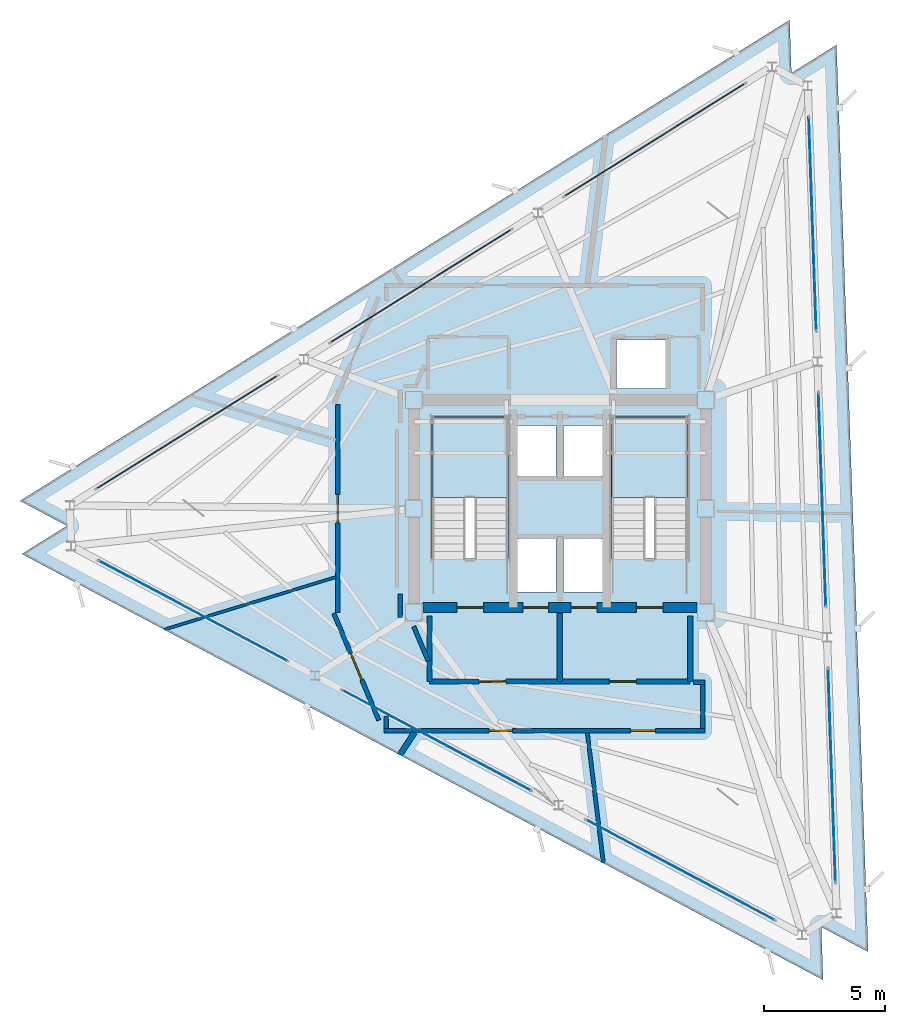
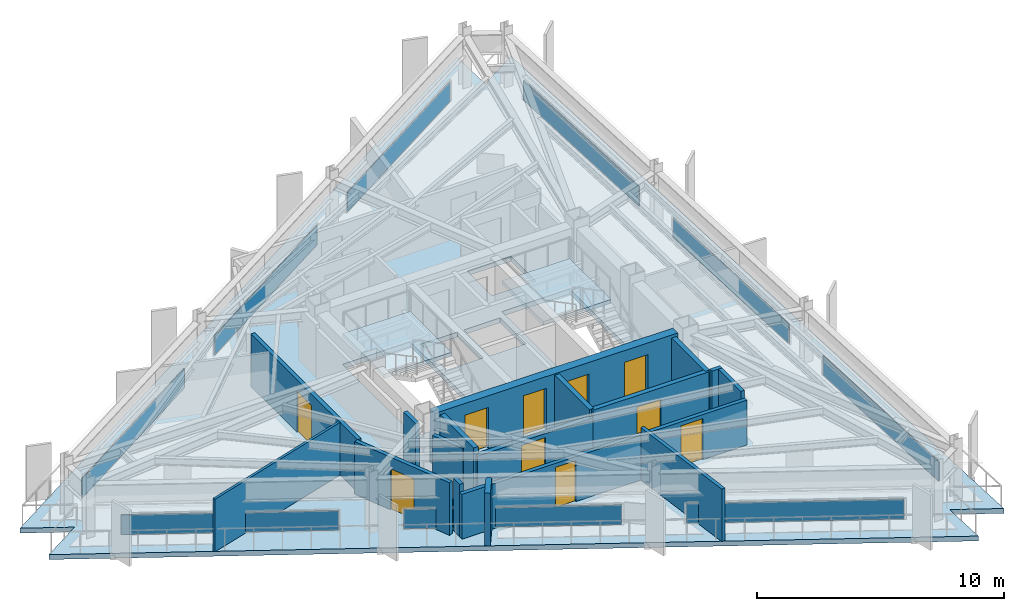
# One storey, part 8 of 13: 17 walls, 10 doors, 9 plates, 3 slabs, 10 openings, 11 elements without a shape of their own.
"""IFC4 building model written with IfcOpenShell, lengths in metres."""

from ifc_helpers import new_model, si_unit, direction, frame, frame_2d, origin, origin_2d, place, context, subcontext, project, spatial, polyline, rectangle, outline, extrude, material, layer, layer_set, type_object, element, fill, aggregate, save


model = new_model("IFC4")

# Units and contexts
model_context = context("Model", 3, precision=1e-05, world=origin(), true_north=direction((0.0, 1.0)))
body_context = subcontext(model_context, "Body", "Model", "MODEL_VIEW")
ifc_project = project(units=[si_unit("LENGTHUNIT", "METRE"), si_unit("AREAUNIT", "SQUARE_METRE"), si_unit("VOLUMEUNIT", "CUBIC_METRE"), si_unit("PLANEANGLEUNIT", "RADIAN"), si_unit("MASSUNIT", "GRAM", prefix="KILO")], contexts=[model_context])

# Site, building, storey
site_placement = place(None, origin())
site = spatial("IfcSite", under=ifc_project, at=site_placement, CompositionType="ELEMENT")
building_placement = place(site_placement, origin())
building = spatial("IfcBuilding", under=site, at=building_placement, Name="Rocaltana Carrier Exchange", CompositionType="ELEMENT")
storey_placement = place(building_placement, frame((0.0, 0.0, 211.840087890625)))
storey = spatial("IfcBuildingStorey", under=building, at=storey_placement, Name="L67", CompositionType="ELEMENT", Elevation=211.840087890625)

# Curtain wall, plate
ifc_material_1 = material(Name="Aluminium 6063-T6", Category="aluminium")
ifc_layer_1 = layer(ifc_material_1, 0.1201171875)
ifc_layer_set_1 = layer_set([ifc_layer_1], Name="Aluminium 6063-T6")
curtain_wall_type = type_object("IfcCurtainWallType", Name="High-Altitude Thermal Curtain Wall CW-05", PredefinedType="NOTDEFINED", material=ifc_layer_set_1)
curtain_wall_1_placement = place(storey_placement, origin())
curtain_wall_1 = element("IfcCurtainWall", 1, at=curtain_wall_1_placement, inside=storey, type_object=curtain_wall_type, Name="L67 CW-05 Run CW-L67-F1S1", PredefinedType="NOTDEFINED")
ifc_material_2 = material(Name="Tempered Laminated Glass", Category="glass")
ifc_layer_2 = layer(ifc_material_2, 0.035888671875)
ifc_layer_set_2 = layer_set([ifc_layer_2], Name="Tempered Laminated Glass")
plate_type = type_object("IfcPlateType", Name="CW-05 Stone-Insulated Vision Panel", PredefinedType="CURTAIN_PANEL", material=ifc_layer_set_2)
plate_1_placement = place(storey_placement, frame((11.266845703125, -11.046875, 0.059814453125), z_axis=(0.0, 0.0, 1.0), x_axis=(-0.034914127567, 0.999390315991, 0.0)))
plate_1 = element("IfcPlate", 2, at=plate_1_placement, type_object=plate_type, Name="CW-05 panel 1.1", PredefinedType="CURTAIN_PANEL", context=body_context, shape_type="SweptSolid", body=[
    extrude(rectangle(XDim=8.813232421875, YDim=0.035888671875, at=origin_2d()), origin(), (0.0, 0.0, 1.0), 0.9580078125),
])
aggregate(curtain_wall_1, [plate_1])

curtain_wall_2_placement = place(storey_placement, origin())
curtain_wall_2 = element("IfcCurtainWall", 3, at=curtain_wall_2_placement, inside=storey, type_object=curtain_wall_type, Name="L67 CW-05 Run CW-L67-F1S2", PredefinedType="NOTDEFINED")
plate_2_placement = place(storey_placement, frame((10.86767578125, 0.37939453125, 0.059814453125), z_axis=(0.0, 0.0, 1.0), x_axis=(-0.034902556738, 0.999390720156, 0.0)))
plate_2 = element("IfcPlate", 4, at=plate_2_placement, type_object=plate_type, Name="CW-05 panel 1.1", PredefinedType="CURTAIN_PANEL", context=body_context, shape_type="SweptSolid", body=[
    extrude(rectangle(XDim=8.8134765625, YDim=0.035888671875, at=origin_2d()), origin(), (0.0, 0.0, 1.0), 0.9580078125),
])
aggregate(curtain_wall_2, [plate_2])

curtain_wall_3_placement = place(storey_placement, origin())
curtain_wall_3 = element("IfcCurtainWall", 5, at=curtain_wall_3_placement, inside=storey, type_object=curtain_wall_type, Name="L67 CW-05 Run CW-L67-F1S3", PredefinedType="NOTDEFINED")
plate_3_placement = place(storey_placement, frame((10.46875, 11.805908203125, 0.059814453125), z_axis=(0.0, 0.0, 1.0), x_axis=(-0.034902556738, 0.999390720156, 0.0)))
plate_3 = element("IfcPlate", 6, at=plate_3_placement, type_object=plate_type, Name="CW-05 panel 1.1", PredefinedType="CURTAIN_PANEL", context=body_context, shape_type="SweptSolid", body=[
    extrude(rectangle(XDim=8.8134765625, YDim=0.035888671875, at=origin_2d()), origin(), (0.0, 0.0, 1.0), 0.9580078125),
])
aggregate(curtain_wall_3, [plate_3])

curtain_wall_4_placement = place(storey_placement, origin())
curtain_wall_4 = element("IfcCurtainWall", 7, at=curtain_wall_4_placement, inside=storey, type_object=curtain_wall_type, Name="L67 CW-05 Run CW-L67-F2S1", PredefinedType="NOTDEFINED")
plate_4_placement = place(storey_placement, frame((3.93359375, 15.28076171875, 0.059814453125), z_axis=(0.0, 0.0, 1.0), x_axis=(-0.848042322807, -0.529928503412, 0.0)))
plate_4 = element("IfcPlate", 8, at=plate_4_placement, type_object=plate_type, Name="CW-05 panel 1.1", PredefinedType="CURTAIN_PANEL", context=body_context, shape_type="SweptSolid", body=[
    extrude(rectangle(XDim=8.813232421875, YDim=0.035888671875, at=origin_2d()), origin(), (0.0, 0.0, 1.0), 0.9580078125),
])
aggregate(curtain_wall_4, [plate_4])

curtain_wall_5_placement = place(storey_placement, origin())
curtain_wall_5 = element("IfcCurtainWall", 9, at=curtain_wall_5_placement, inside=storey, type_object=curtain_wall_type, Name="L67 CW-05 Run CW-L67-F2S2", PredefinedType="NOTDEFINED")
plate_5_placement = place(storey_placement, frame((-5.762451171875, 9.221923828125, 0.059814453125), z_axis=(0.0, 0.0, 1.0), x_axis=(-0.848047353446, -0.529920452816, 0.0)))
plate_5 = element("IfcPlate", 10, at=plate_5_placement, type_object=plate_type, Name="CW-05 panel 1.1", PredefinedType="CURTAIN_PANEL", context=body_context, shape_type="SweptSolid", body=[
    extrude(rectangle(XDim=8.813232421875, YDim=0.035888671875, at=origin_2d()), origin(), (0.0, 0.0, 1.0), 0.9580078125),
])
aggregate(curtain_wall_5, [plate_5])

curtain_wall_6_placement = place(storey_placement, origin())
curtain_wall_6 = element("IfcCurtainWall", 11, at=curtain_wall_6_placement, inside=storey, type_object=curtain_wall_type, Name="L67 CW-05 Run CW-L67-F2S3", PredefinedType="NOTDEFINED")
plate_6_placement = place(storey_placement, frame((-15.45849609375, 3.163330078125, 0.059814453125), z_axis=(0.0, 0.0, 1.0), x_axis=(-0.848050496896, -0.529915422228, 0.0)))
plate_6 = element("IfcPlate", 12, at=plate_6_placement, type_object=plate_type, Name="CW-05 panel 1.1", PredefinedType="CURTAIN_PANEL", context=body_context, shape_type="SweptSolid", body=[
    extrude(rectangle(XDim=8.813232421875, YDim=0.035888671875, at=origin_2d()), origin(), (0.0, 0.0, 1.0), 0.9580078125),
])
aggregate(curtain_wall_6, [plate_6])

curtain_wall_7_placement = place(storey_placement, origin())
curtain_wall_7 = element("IfcCurtainWall", 13, at=curtain_wall_7_placement, inside=storey, type_object=curtain_wall_type, Name="L67 CW-05 Run CW-L67-F3S1", PredefinedType="NOTDEFINED")
plate_7_placement = place(storey_placement, frame((-15.2001953125, -4.23388671875, 0.059814453125), z_axis=(0.0, 0.0, 1.0), x_axis=(0.882941304732, -0.469483388841, 0.0)))
plate_7 = element("IfcPlate", 14, at=plate_7_placement, type_object=plate_type, Name="CW-05 panel 1.1", PredefinedType="CURTAIN_PANEL", context=body_context, shape_type="SweptSolid", body=[
    extrude(rectangle(XDim=8.8134765625, YDim=0.035888671875, at=origin_2d()), origin(), (0.0, 0.0, 1.0), 0.9580078125),
])
aggregate(curtain_wall_7, [plate_7])

curtain_wall_8_placement = place(storey_placement, origin())
curtain_wall_8 = element("IfcCurtainWall", 15, at=curtain_wall_8_placement, inside=storey, type_object=curtain_wall_type, Name="L67 CW-05 Run CW-L67-F3S2", PredefinedType="NOTDEFINED")
plate_8_placement = place(storey_placement, frame((-5.105224609375, -9.6015625, 0.059814453125), z_axis=(0.0, 0.0, 1.0), x_axis=(0.882943477624, -0.469479302335, 0.0)))
plate_8 = element("IfcPlate", 16, at=plate_8_placement, type_object=plate_type, Name="CW-05 panel 1.1", PredefinedType="CURTAIN_PANEL", context=body_context, shape_type="SweptSolid", body=[
    extrude(rectangle(XDim=8.813232421875, YDim=0.035888671875, at=origin_2d()), origin(), (0.0, 0.0, 1.0), 0.9580078125),
])
aggregate(curtain_wall_8, [plate_8])

curtain_wall_9_placement = place(storey_placement, origin())
curtain_wall_9 = element("IfcCurtainWall", 17, at=curtain_wall_9_placement, inside=storey, type_object=curtain_wall_type, Name="L67 CW-05 Run CW-L67-F3S3", PredefinedType="NOTDEFINED")
plate_9_placement = place(storey_placement, frame((4.98974609375, -14.968994140625, 0.059814453125), z_axis=(0.0, 0.0, 1.0), x_axis=(0.882945944879, -0.469474662173, 0.0)))
plate_9 = element("IfcPlate", 18, at=plate_9_placement, type_object=plate_type, Name="CW-05 panel 1.1", PredefinedType="CURTAIN_PANEL", context=body_context, shape_type="SweptSolid", body=[
    extrude(rectangle(XDim=8.8134765625, YDim=0.035888671875, at=origin_2d()), origin(), (0.0, 0.0, 1.0), 0.9580078125),
])
aggregate(curtain_wall_9, [plate_9])

# Slab
ifc_material_3 = material(Name="Concrete C50/60", Category="concrete")
ifc_layer_3 = layer(ifc_material_3, 0.239990234375)
ifc_layer_set_3 = layer_set([ifc_layer_3], Name="Concrete C50/60")
slab_type_1 = type_object("IfcSlabType", Name="High-Zone Tower Slab 240", PredefinedType="FLOOR", material=ifc_layer_set_3)
slab_1_placement = place(storey_placement, frame((0.0, 0.0, -0.239990234375)))
element("IfcSlab", 19, at=slab_1_placement, inside=storey, type_object=slab_type_1, Name="L67 Structural Floor Slab", PredefinedType="FLOOR", context=body_context, shape_type="SweptSolid", body=[
    extrude(outline(polyline([(10.907470703125, -19.53125), (10.83056640625, -17.33251953125), (12.773193359375, -18.365478515625), (11.4609375, 19.211669921875), (9.59521484375, 18.0458984375), (9.518310546875, 20.244384765625), (-22.3681640625, 0.319580078125), (-20.42578125, -0.71337890625), (-22.29150390625, -1.879150390625), (10.907470703125, -19.53125)]), holes=[polyline([(-5.300048828125, -2.06005859375), (-2.139892578125, -2.06005859375), (-2.139892578125, 3.800048828125), (-5.300048828125, 3.800048828125), (-5.300048828125, -2.06005859375)]), polyline([(2.139892578125, -2.06005859375), (5.300048828125, -2.06005859375), (5.300048828125, 3.800048828125), (2.139892578125, 3.800048828125), (2.139892578125, -2.06005859375)]), polyline([(-1.85009765625, -3.449951171875), (-0.14990234375, -3.449951171875), (-0.14990234375, -1.25), (-1.85009765625, -1.25), (-1.85009765625, -3.449951171875)]), polyline([(0.14990234375, -3.449951171875), (1.85009765625, -3.449951171875), (1.85009765625, -1.25), (0.14990234375, -1.25), (0.14990234375, -3.449951171875)]), polyline([(2.35009765625, 4.97998046875), (4.39990234375, 4.97998046875), (4.39990234375, 6.97998046875), (2.35009765625, 6.97998046875), (2.35009765625, 4.97998046875)]), polyline([(-1.85009765625, 1.35009765625), (-0.14990234375, 1.35009765625), (-0.14990234375, 3.449951171875), (-1.85009765625, 3.449951171875), (-1.85009765625, 1.35009765625)]), polyline([(0.14990234375, 1.35009765625), (1.85009765625, 1.35009765625), (1.85009765625, 3.449951171875), (0.14990234375, 3.449951171875), (0.14990234375, 1.35009765625)])]), origin(), (0.0, 0.0, 1.0), 0.239990234375),
])

# Stair, slab
ifc_material_4 = material(Name="Precast concrete C45/55", Category="concrete")
stair_type = type_object("IfcStairType", Name="Standard Dog-Leg Stair 160", PredefinedType="HALF_TURN_STAIR", material=ifc_material_4)
stair_1_placement = place(storey_placement, origin())
stair_1 = element("IfcStair", 20, at=stair_1_placement, inside=storey, type_object=stair_type, Name="L67 Core West Exit Stair ST-1", PredefinedType="HALF_TURN_STAIR")
ifc_material_5 = material(Name="Precast concrete C45/55", Category="concrete")
ifc_layer_4 = layer(ifc_material_5, 0.199951171875)
ifc_layer_set_4 = layer_set([ifc_layer_4], Name="Precast concrete C45/55")
slab_type_2 = type_object("IfcSlabType", Name="Precast Stair Half-Landing 200", PredefinedType="LANDING", material=ifc_layer_set_4)
slab_2_placement = place(storey_placement, frame((0.0, 0.0, 1.31982421875)))
slab_2 = element("IfcSlab", 21, at=slab_2_placement, type_object=slab_type_2, Name="ST-1 landing 1", PredefinedType="LANDING", context=body_context, shape_type="SweptSolid", body=[
    extrude(outline(polyline([(-2.139892578125, 0.4599609375), (-2.139892578125, 3.800048828125), (-5.300048828125, 3.800048828125), (-5.300048828125, 0.4599609375), (-2.139892578125, 0.4599609375)])), origin(), (0.0, 0.0, 1.0), 0.2001953125),
])
aggregate(stair_1, [slab_2])

stair_2_placement = place(storey_placement, origin())
stair_2 = element("IfcStair", 22, at=stair_2_placement, inside=storey, type_object=stair_type, Name="L67 Core East Exit Stair ST-2", PredefinedType="HALF_TURN_STAIR")
slab_3_placement = place(storey_placement, frame((0.0, 0.0, 1.31982421875)))
slab_3 = element("IfcSlab", 23, at=slab_3_placement, type_object=slab_type_2, Name="ST-2 landing 1", PredefinedType="LANDING", context=body_context, shape_type="SweptSolid", body=[
    extrude(outline(polyline([(5.300048828125, 0.4599609375), (5.300048828125, 3.800048828125), (2.139892578125, 3.800048828125), (2.139892578125, 0.4599609375), (5.300048828125, 0.4599609375)])), origin(), (0.0, 0.0, 1.0), 0.2001953125),
])
aggregate(stair_2, [slab_3])

# Wall
ifc_material_6 = material(Name="Double Acoustic Gypsum Partition", Category="gypsum")
ifc_layer_5 = layer(ifc_material_6, 0.159912109375)
ifc_layer_set_5 = layer_set([ifc_layer_5], Name="Double Acoustic Gypsum Partition")
wall_type_1 = type_object("IfcWallType", Name="Acoustic Studio Partition 160 EI60", PredefinedType="PARTITIONING", material=ifc_layer_set_5)
wall_1_placement = place(storey_placement, frame((1.139404296875, -9.280029296875, 0.0), z_axis=(0.0, 0.0, 1.0), x_axis=(0.121863374105, -0.992546884561, 0.0)))
element("IfcWall", 24, at=wall_1_placement, inside=storey, type_object=wall_type_1, Name="L67 Suite Divider Wall D3", PredefinedType="PARTITIONING", context=body_context, shape_type="SweptSolid", body=[
    extrude(rectangle(XDim=5.439208984375, YDim=0.159912109375, at=frame_2d((2.7197265625, 0.0))), origin(), (0.0, 0.0, 1.0), 2.593017578125),
])

# Wall, openings, doors
ifc_material_7 = material(Name="Concrete C50/60", Category="concrete")
ifc_layer_6 = layer(ifc_material_7, 0.39990234375)
ifc_layer_set_6 = layer_set([ifc_layer_6], Name="Concrete C50/60")
wall_type_2 = type_object("IfcWallType", Name="Core Internal Shear Wall 400", PredefinedType="SHEAR", material=ifc_layer_set_6)
wall_2_placement = place(storey_placement, frame((-5.675048828125, -4.10009765625, 0.0), z_axis=(0.0, 0.0, 1.0), x_axis=(1.0, 0.0, 0.0)))
wall_2 = element("IfcWall", 25, at=wall_2_placement, inside=storey, type_object=wall_type_2, Name="L67 Core Shear Wall CW-S", PredefinedType="SHEAR", context=body_context, shape_type="SweptSolid", body=[
    extrude(rectangle(XDim=11.35009765625, YDim=0.39990234375, at=frame_2d((5.675048828125, 0.0))), origin(), (0.0, 0.0, 1.0), 2.617919921875),
])
opening_1_placement = place(wall_2_placement, frame((1.405029296875, 0.0, 0.0)))
opening_1 = element("IfcOpeningElement", 26, at=opening_1_placement, cuts=wall_2, Name="Opening D-ST110", PredefinedType="OPENING", context=body_context, shape_type="SweptSolid", body=[
    extrude(rectangle(XDim=1.10009765625, YDim=2.0400390625, at=frame_2d((0.550048828125, 1.02001953125))), frame((0.0, 0.2099609375, 0.0), z_axis=(0.0, -1.0, 0.0), x_axis=(1.0, 0.0, 0.0)), (0.0, 0.0, 1.0), 0.419921875),
])
opening_2_placement = place(wall_2_placement, frame((8.844970703125, 0.0, 0.0)))
opening_2 = element("IfcOpeningElement", 27, at=opening_2_placement, cuts=wall_2, Name="Opening D-ST110", PredefinedType="OPENING", context=body_context, shape_type="SweptSolid", body=[
    extrude(rectangle(XDim=1.10009765625, YDim=2.0400390625, at=frame_2d((0.550048828125, 1.02001953125))), frame((0.0, 0.2099609375, 0.0), z_axis=(0.0, -1.0, 0.0), x_axis=(1.0, 0.0, 0.0)), (0.0, 0.0, 1.0), 0.419921875),
])
opening_3_placement = place(wall_2_placement, frame((4.14501953125, 0.0, 0.0)))
opening_3 = element("IfcOpeningElement", 28, at=opening_3_placement, cuts=wall_2, Name="Opening LD-110", PredefinedType="OPENING", context=body_context, shape_type="SweptSolid", body=[
    extrude(rectangle(XDim=1.06005859375, YDim=2.0400390625, at=frame_2d((0.530029296875, 1.02001953125))), frame((0.0, 0.2099609375, 0.0), z_axis=(0.0, -1.0, 0.0), x_axis=(1.0, 0.0, 0.0)), (0.0, 0.0, 1.0), 0.419921875),
])
opening_4_placement = place(wall_2_placement, frame((6.14501953125, 0.0, 0.0)))
opening_4 = element("IfcOpeningElement", 29, at=opening_4_placement, cuts=wall_2, Name="Opening LD-110", PredefinedType="OPENING", context=body_context, shape_type="SweptSolid", body=[
    extrude(rectangle(XDim=1.06005859375, YDim=2.0400390625, at=frame_2d((0.530029296875, 1.02001953125))), frame((0.0, 0.2099609375, 0.0), z_axis=(0.0, -1.0, 0.0), x_axis=(1.0, 0.0, 0.0)), (0.0, 0.0, 1.0), 0.419921875),
])
ifc_material_8 = material(Name="Hollow Metal Fire Door Assembly", Category="steel")
door_type_1 = type_object("IfcDoorType", Name="Exit Stair Fire Door 1100x2040 FD90S", OperationType="NOTDEFINED", PredefinedType="DOOR", material=ifc_material_8)
door_1_placement = place(opening_1_placement, origin())
door_1 = element("IfcDoor", 30, at=door_1_placement, inside=storey, type_object=door_type_1, Name="L67 Exit Stair ST1 Fire Door", OperationType="SINGLE_SWING_RIGHT", OverallHeight=2.0400390625, OverallWidth=1.10009765625, PredefinedType="DOOR", context=body_context, shape_type="SweptSolid", body=[
    extrude(rectangle(XDim=1.10009765625, YDim=2.0400390625, at=frame_2d((0.550048828125, 1.02001953125))), frame((0.0, 0.02490234375, 0.0), z_axis=(0.0, -1.0, 0.0), x_axis=(1.0, 0.0, 0.0)), (0.0, 0.0, 1.0), 0.050048828125),
])
fill(opening_1, door_1)
door_2_placement = place(opening_2_placement, origin())
door_2 = element("IfcDoor", 31, at=door_2_placement, inside=storey, type_object=door_type_1, Name="L67 Exit Stair ST2 Fire Door", OperationType="SINGLE_SWING_LEFT", OverallHeight=2.0400390625, OverallWidth=1.10009765625, PredefinedType="DOOR", context=body_context, shape_type="SweptSolid", body=[
    extrude(rectangle(XDim=1.10009765625, YDim=2.0400390625, at=frame_2d((0.550048828125, 1.02001953125))), frame((0.0, 0.02490234375, 0.0), z_axis=(0.0, -1.0, 0.0), x_axis=(1.0, 0.0, 0.0)), (0.0, 0.0, 1.0), 0.050048828125),
])
fill(opening_2, door_2)
ifc_material_9 = material(Name="Brushed Stainless Sliding Door Leaf", Category="steel")
door_type_2 = type_object("IfcDoorType", Name="Lift Landing Sliding Door 1060x2040", OperationType="NOTDEFINED", PredefinedType="DOOR", material=ifc_material_9)
door_3_placement = place(opening_3_placement, origin())
door_3 = element("IfcDoor", 32, at=door_3_placement, inside=storey, type_object=door_type_2, Name="L67 Firefighting Lift FFL1 Landing Door", OperationType="SLIDING_TO_LEFT", OverallHeight=2.0400390625, OverallWidth=1.06005859375, PredefinedType="DOOR", context=body_context, shape_type="SweptSolid", body=[
    extrude(rectangle(XDim=1.06005859375, YDim=2.0400390625, at=frame_2d((0.530029296875, 1.02001953125))), frame((0.0, 0.02490234375, 0.0), z_axis=(0.0, -1.0, 0.0), x_axis=(1.0, 0.0, 0.0)), (0.0, 0.0, 1.0), 0.050048828125),
])
fill(opening_3, door_3)
door_4_placement = place(opening_4_placement, origin())
door_4 = element("IfcDoor", 33, at=door_4_placement, inside=storey, type_object=door_type_2, Name="L67 Firefighting Lift FFL2 Landing Door", OperationType="SLIDING_TO_RIGHT", OverallHeight=2.0400390625, OverallWidth=1.06005859375, PredefinedType="DOOR", context=body_context, shape_type="SweptSolid", body=[
    extrude(rectangle(XDim=1.06005859375, YDim=2.0400390625, at=frame_2d((0.530029296875, 1.02001953125))), frame((0.0, 0.02490234375, 0.0), z_axis=(0.0, -1.0, 0.0), x_axis=(1.0, 0.0, 0.0)), (0.0, 0.0, 1.0), 0.050048828125),
])
fill(opening_4, door_4)

# Wall, opening, door
ifc_material_10 = material(Name="Gypsum & Steel Stud Partition", Category="steel")
ifc_layer_7 = layer(ifc_material_10, 0.179931640625)
ifc_layer_set_7 = layer_set([ifc_layer_7], Name="Gypsum & Steel Stud Partition")
wall_type_3 = type_object("IfcWallType", Name="Corridor Fire Partition 180 EI60", PredefinedType="PARTITIONING", material=ifc_layer_set_7)
wall_3_placement = place(storey_placement, frame((-7.501220703125, -8.768798828125, 0.0), z_axis=(0.0, 0.0, 1.0), x_axis=(-0.387573945081, 0.921838617706, 0.0)))
wall_3 = element("IfcWall", 34, at=wall_3_placement, inside=storey, type_object=wall_type_3, Name="L67 Corridor Partition 1", PredefinedType="PARTITIONING", context=body_context, shape_type="SweptSolid", body=[
    extrude(rectangle(XDim=4.813232421875, YDim=0.179931640625, at=frame_2d((2.40673828125, 0.0))), origin(), (0.0, 0.0, 1.0), 2.593017578125),
])
opening_5_placement = place(wall_3_placement, frame((1.816650390625, 0.0, 0.0)))
opening_5 = element("IfcOpeningElement", 35, at=opening_5_placement, cuts=wall_3, Name="Opening D-SU120", PredefinedType="OPENING", context=body_context, shape_type="SweptSolid", body=[
    extrude(rectangle(XDim=1.179931640625, YDim=2.02001953125, at=frame_2d((0.58984375, 1.010009765625))), frame((0.0, 0.099853515625, 0.0), z_axis=(0.0, -1.0, 0.0), x_axis=(1.0, 0.0, 0.0)), (0.0, 0.0, 1.0), 0.199951171875),
])
ifc_material_11 = material(Name="Engineered Hardwood Timber", Category="wood")
door_type_3 = type_object("IfcDoorType", Name="Suite Double Entrance Door 1180x2020", OperationType="NOTDEFINED", PredefinedType="DOOR", material=ifc_material_11)
door_5_placement = place(opening_5_placement, origin())
door_5 = element("IfcDoor", 36, at=door_5_placement, inside=storey, type_object=door_type_3, Name="L67 Carrier Peering Suite Entrance Door", OperationType="SINGLE_SWING_LEFT", OverallHeight=2.02001953125, OverallWidth=1.179931640625, PredefinedType="DOOR", context=body_context, shape_type="SweptSolid", body=[
    extrude(rectangle(XDim=1.179931640625, YDim=2.02001953125, at=frame_2d((0.58984375, 1.010009765625))), frame((0.0, 0.02490234375, 0.0), z_axis=(0.0, -1.0, 0.0), x_axis=(1.0, 0.0, 0.0)), (0.0, 0.0, 1.0), 0.050048828125),
])
fill(opening_5, door_5)

wall_4_placement = place(storey_placement, frame((-9.199951171875, -4.303466796875, 0.0), z_axis=(0.0, 0.0, 1.0), x_axis=(0.0, 1.0, 0.0)))
wall_4 = element("IfcWall", 37, at=wall_4_placement, inside=storey, type_object=wall_type_3, Name="L67 Corridor Partition 2", PredefinedType="PARTITIONING", context=body_context, shape_type="SweptSolid", body=[
    extrude(rectangle(XDim=8.60693359375, YDim=0.179931640625, at=frame_2d((4.303466796875, 0.0))), origin(), (0.0, 0.0, 1.0), 2.593017578125),
])
opening_6_placement = place(wall_4_placement, frame((3.71337890625, 0.0, 0.0)))
opening_6 = element("IfcOpeningElement", 38, at=opening_6_placement, cuts=wall_4, Name="Opening D-SU120", PredefinedType="OPENING", context=body_context, shape_type="SweptSolid", body=[
    extrude(rectangle(XDim=1.179931640625, YDim=2.02001953125, at=frame_2d((0.58984375, 1.010009765625))), frame((0.0, 0.099853515625, 0.0), z_axis=(0.0, -1.0, 0.0), x_axis=(1.0, 0.0, 0.0)), (0.0, 0.0, 1.0), 0.199951171875),
])
door_6_placement = place(opening_6_placement, origin())
door_6 = element("IfcDoor", 39, at=door_6_placement, inside=storey, type_object=door_type_3, Name="L67 Carrier Peering Suite Entrance Door", OperationType="SINGLE_SWING_RIGHT", OverallHeight=2.02001953125, OverallWidth=1.179931640625, PredefinedType="DOOR", context=body_context, shape_type="SweptSolid", body=[
    extrude(rectangle(XDim=1.179931640625, YDim=2.02001953125, at=frame_2d((0.58984375, 1.010009765625))), frame((0.0, 0.02490234375, 0.0), z_axis=(0.0, -1.0, 0.0), x_axis=(1.0, 0.0, 0.0)), (0.0, 0.0, 1.0), 0.050048828125),
])
fill(opening_6, door_6)

# Walls
wall_5_placement = place(storey_placement, frame((-6.610107421875, -3.541259765625, 0.0), z_axis=(0.0, 0.0, 1.0), x_axis=(0.0, -1.0, 0.0)))
element("IfcWall", 40, at=wall_5_placement, inside=storey, type_object=wall_type_3, Name="L67 Corridor Partition 12", PredefinedType="PARTITIONING", context=body_context, shape_type="SweptSolid", body=[
    extrude(rectangle(XDim=0.978759765625, YDim=0.179931640625, at=frame_2d((0.4892578125, 0.0))), origin(), (0.0, 0.0, 1.0), 2.593017578125),
])
wall_6_placement = place(storey_placement, frame((-6.0546875, -4.881591796875, 0.0), z_axis=(0.0, 0.0, 1.0), x_axis=(0.387579540458, -0.921836265189, 0.0)))
element("IfcWall", 41, at=wall_6_placement, inside=storey, type_object=wall_type_3, Name="L67 Corridor Partition 13", PredefinedType="PARTITIONING", context=body_context, shape_type="SweptSolid", body=[
    extrude(rectangle(XDim=1.5546875, YDim=0.179931640625, at=frame_2d((0.77734375, 0.0))), origin(), (0.0, 0.0, 1.0), 2.072998046875),
])
wall_7_placement = place(storey_placement, frame((5.530029296875, -7.199951171875, 0.0), z_axis=(0.0, 0.0, 1.0), x_axis=(1.0, 0.0, 0.0)))
element("IfcWall", 42, at=wall_7_placement, inside=storey, type_object=wall_type_3, Name="L67 Corridor Partition 14", PredefinedType="PARTITIONING", context=body_context, shape_type="SweptSolid", body=[
    extrude(rectangle(XDim=0.47998046875, YDim=0.179931640625, at=frame_2d((0.239990234375, 0.0))), origin(), (0.0, 0.0, 1.0), 2.593017578125),
])
wall_8_placement = place(storey_placement, frame((5.919921875, -7.2900390625, 0.0), z_axis=(0.0, 0.0, 1.0), x_axis=(0.0, -1.0, 0.0)))
element("IfcWall", 43, at=wall_8_placement, inside=storey, type_object=wall_type_3, Name="L67 Corridor Partition 15", PredefinedType="PARTITIONING", context=body_context, shape_type="SweptSolid", body=[
    extrude(rectangle(XDim=1.820068359375, YDim=0.179931640625, at=frame_2d((0.91015625, 0.0))), origin(), (0.0, 0.0, 1.0), 2.593017578125),
])

# Wall, openings, doors
wall_9_placement = place(storey_placement, frame((6.010009765625, -9.199951171875, 0.0), z_axis=(0.0, 0.0, 1.0), x_axis=(-1.0, 0.0, 0.0)))
wall_9 = element("IfcWall", 44, at=wall_9_placement, inside=storey, type_object=wall_type_3, Name="L67 Corridor Partition 16", PredefinedType="PARTITIONING", context=body_context, shape_type="SweptSolid", body=[
    extrude(rectangle(XDim=13.300048828125, YDim=0.179931640625, at=frame_2d((6.64990234375, 0.0))), origin(), (0.0, 0.0, 1.0), 2.21484375),
])
opening_7_placement = place(wall_9_placement, frame((7.978515625, 0.0, 0.0)))
opening_7 = element("IfcOpeningElement", 45, at=opening_7_placement, cuts=wall_9, Name="Opening D-RM098", PredefinedType="OPENING", context=body_context, shape_type="SweptSolid", body=[
    extrude(rectangle(XDim=0.9599609375, YDim=2.02001953125, at=frame_2d((0.47998046875, 1.010009765625))), frame((0.0, 0.099853515625, 0.0), z_axis=(0.0, -1.0, 0.0), x_axis=(1.0, 0.0, 0.0)), (0.0, 0.0, 1.0), 0.199951171875),
])
opening_8_placement = place(wall_9_placement, frame((2.05517578125, 0.0, 0.0)))
opening_8 = element("IfcOpeningElement", 46, at=opening_8_placement, cuts=wall_9, Name="Opening D-LB104", PredefinedType="OPENING", context=body_context, shape_type="SweptSolid", body=[
    extrude(rectangle(XDim=1.02001953125, YDim=2.02001953125, at=frame_2d((0.510009765625, 1.010009765625))), frame((0.0, 0.099853515625, 0.0), z_axis=(0.0, -1.0, 0.0), x_axis=(1.0, 0.0, 0.0)), (0.0, 0.0, 1.0), 0.199951171875),
])
ifc_material_12 = material(Name="Powder-Coated Aluminium 6063-T6", Category="aluminium")
door_type_4 = type_object("IfcDoorType", Name="Laboratory Acoustic Door 1020x2020", OperationType="NOTDEFINED", PredefinedType="DOOR", material=ifc_material_12)
door_7_placement = place(opening_8_placement, origin())
door_7 = element("IfcDoor", 47, at=door_7_placement, inside=storey, type_object=door_type_4, Name="L67 Optical Switching Laboratory Entrance Door", OperationType="SINGLE_SWING_LEFT", OverallHeight=2.02001953125, OverallWidth=1.02001953125, PredefinedType="DOOR", context=body_context, shape_type="SweptSolid", body=[
    extrude(rectangle(XDim=1.02001953125, YDim=2.02001953125, at=frame_2d((0.510009765625, 1.010009765625))), frame((0.0, 0.02490234375, 0.0), z_axis=(0.0, -1.0, 0.0), x_axis=(1.0, 0.0, 0.0)), (0.0, 0.0, 1.0), 0.050048828125),
])
fill(opening_8, door_7)
ifc_material_13 = material(Name="Engineered Hardwood Timber", Category="wood")
door_type_5 = type_object("IfcDoorType", Name="Workspace Single Door 960x2020", OperationType="NOTDEFINED", PredefinedType="DOOR", material=ifc_material_13)
door_8_placement = place(opening_7_placement, origin())
door_8 = element("IfcDoor", 48, at=door_8_placement, inside=storey, type_object=door_type_5, Name="L67 Cloud Architecture Office Entrance Door", OperationType="SINGLE_SWING_RIGHT", OverallHeight=2.02001953125, OverallWidth=0.9599609375, PredefinedType="DOOR", context=body_context, shape_type="SweptSolid", body=[
    extrude(rectangle(XDim=0.9599609375, YDim=2.02001953125, at=frame_2d((0.47998046875, 1.010009765625))), frame((0.0, 0.02490234375, 0.0), z_axis=(0.0, -1.0, 0.0), x_axis=(1.0, 0.0, 0.0)), (0.0, 0.0, 1.0), 0.050048828125),
])
fill(opening_7, door_8)

# Walls
wall_10_placement = place(storey_placement, frame((-7.199951171875, -9.110107421875, 0.0), z_axis=(0.0, 0.0, 1.0), x_axis=(0.0, 1.0, 0.0)))
element("IfcWall", 49, at=wall_10_placement, inside=storey, type_object=wall_type_3, Name="L67 Corridor Partition 17", PredefinedType="PARTITIONING", context=body_context, shape_type="SweptSolid", body=[
    extrude(rectangle(XDim=0.509521484375, YDim=0.179931640625, at=frame_2d((0.2548828125, 0.0))), origin(), (0.0, 0.0, 1.0), 2.593017578125),
])
ifc_material_14 = material(Name="Aluminium 6063-T6 & Acoustic Glass", Category="aluminium")
ifc_layer_8 = layer(ifc_material_14, 0.114990234375)
ifc_layer_set_8 = layer_set([ifc_layer_8], Name="Aluminium 6063-T6 & Acoustic Glass")
wall_type_4 = type_object("IfcWallType", Name="Demountable Glazed Lab Partition 115", PredefinedType="MOVABLE", material=ifc_layer_set_8)
wall_11_placement = place(storey_placement, frame((-9.280029296875, -2.837158203125, 0.0), z_axis=(0.0, 0.0, 1.0), x_axis=(-0.956303337488, -0.292376344307, 0.0)))
element("IfcWall", 50, at=wall_11_placement, inside=storey, type_object=wall_type_4, Name="L67 Suite Divider Wall D1", PredefinedType="MOVABLE", context=body_context, shape_type="SweptSolid", body=[
    extrude(rectangle(XDim=7.428466796875, YDim=0.114990234375, at=frame_2d((3.71435546875, 0.0))), origin(), (0.0, 0.0, 1.0), 2.593017578125),
])
ifc_material_15 = material(Name="Autoclaved Aerated Concrete C30/37", Category="concrete")
ifc_layer_9 = layer(ifc_material_15, 0.219970703125)
ifc_layer_set_9 = layer_set([ifc_layer_9], Name="Autoclaved Aerated Concrete C30/37")
wall_type_5 = type_object("IfcWallType", Name="Firefighting Lobby Wall 220 EI120", PredefinedType="PARTITIONING", material=ifc_layer_set_9)
for number, where, z_axis, x_axis, name in (
    (51, (-5.39990234375, -7.159912109375, 0.0), (0.0, 0.0, 1.0), (0.0, 1.0, 0.0), "L67 FFL Lobby 1 West Wall"),
    (52, (5.39990234375, -7.159912109375, 0.0), (0.0, 0.0, 1.0), (0.0, 1.0, 0.0), "L67 FFL Lobby 2 East Wall"),
):
    element("IfcWall", number, at=place(storey_placement, frame(where, z_axis=z_axis, x_axis=x_axis)), inside=storey, type_object=wall_type_5, Name=name, PredefinedType="PARTITIONING", context=body_context, shape_type="SweptSolid", body=[
        extrude(rectangle(XDim=2.7099609375, YDim=0.219970703125, at=frame_2d((1.35498046875, 0.0))), origin(), (0.0, 0.0, 1.0), 2.593017578125),
    ])
wall_12_placement = place(storey_placement, frame((0.0, -7.159912109375, 0.0), z_axis=(0.0, 0.0, 1.0), x_axis=(0.0, 1.0, 0.0)))
element("IfcWall", 53, at=wall_12_placement, inside=storey, type_object=wall_type_5, Name="L67 FFL Lobby Centre Wall", PredefinedType="PARTITIONING", context=body_context, shape_type="SweptSolid", body=[
    extrude(rectangle(XDim=2.809814453125, YDim=0.219970703125, at=frame_2d((1.40478515625, 0.0))), origin(), (0.0, 0.0, 1.0), 2.593017578125),
])

# Wall, opening, door
wall_13_placement = place(storey_placement, frame((-5.39990234375, -7.159912109375, 0.0), z_axis=(0.0, 0.0, 1.0), x_axis=(1.0, 0.0, 0.0)))
wall_13 = element("IfcWall", 54, at=wall_13_placement, inside=storey, type_object=wall_type_5, Name="L67 FFL Lobby 1 South Wall", PredefinedType="PARTITIONING", context=body_context, shape_type="SweptSolid", body=[
    extrude(rectangle(XDim=5.39990234375, YDim=0.219970703125, at=frame_2d((2.699951171875, 0.0))), origin(), (0.0, 0.0, 1.0), 2.21484375),
])
opening_9_placement = place(wall_13_placement, frame((2.050048828125, 0.0, 0.0)))
opening_9 = element("IfcOpeningElement", 55, at=opening_9_placement, cuts=wall_13, Name="Opening D-FF115", PredefinedType="OPENING", context=body_context, shape_type="SweptSolid", body=[
    extrude(rectangle(XDim=1.1201171875, YDim=2.02001953125, at=frame_2d((0.56005859375, 1.010009765625))), frame((0.0, 0.119873046875, 0.0), z_axis=(0.0, -1.0, 0.0), x_axis=(1.0, 0.0, 0.0)), (0.0, 0.0, 1.0), 0.239990234375),
])
ifc_material_16 = material(Name="Hollow Metal Fire Door Assembly", Category="steel")
door_type_6 = type_object("IfcDoorType", Name="Firefighting Lobby Door 1120x2020 FD60S", OperationType="NOTDEFINED", PredefinedType="DOOR", material=ifc_material_16)
door_9_placement = place(opening_9_placement, origin())
door_9 = element("IfcDoor", 56, at=door_9_placement, inside=storey, type_object=door_type_6, Name="L67 Firefighting Lift Lobby 1 Door", OperationType="SINGLE_SWING_RIGHT", OverallHeight=2.02001953125, OverallWidth=1.1201171875, PredefinedType="DOOR", context=body_context, shape_type="SweptSolid", body=[
    extrude(rectangle(XDim=1.1201171875, YDim=2.02001953125, at=frame_2d((0.56005859375, 1.010009765625))), frame((0.0, 0.02490234375, 0.0), z_axis=(0.0, -1.0, 0.0), x_axis=(1.0, 0.0, 0.0)), (0.0, 0.0, 1.0), 0.050048828125),
])
fill(opening_9, door_9)

wall_14_placement = place(storey_placement, frame((0.0, -7.159912109375, 0.0), z_axis=(0.0, 0.0, 1.0), x_axis=(1.0, 0.0, 0.0)))
wall_14 = element("IfcWall", 57, at=wall_14_placement, inside=storey, type_object=wall_type_5, Name="L67 FFL Lobby 2 South Wall", PredefinedType="PARTITIONING", context=body_context, shape_type="SweptSolid", body=[
    extrude(rectangle(XDim=5.39990234375, YDim=0.219970703125, at=frame_2d((2.699951171875, 0.0))), origin(), (0.0, 0.0, 1.0), 2.593017578125),
])
opening_10_placement = place(wall_14_placement, frame((2.050048828125, 0.0, 0.0)))
opening_10 = element("IfcOpeningElement", 58, at=opening_10_placement, cuts=wall_14, Name="Opening D-FF115", PredefinedType="OPENING", context=body_context, shape_type="SweptSolid", body=[
    extrude(rectangle(XDim=1.1201171875, YDim=2.02001953125, at=frame_2d((0.56005859375, 1.010009765625))), frame((0.0, 0.119873046875, 0.0), z_axis=(0.0, -1.0, 0.0), x_axis=(1.0, 0.0, 0.0)), (0.0, 0.0, 1.0), 0.239990234375),
])
door_10_placement = place(opening_10_placement, origin())
door_10 = element("IfcDoor", 59, at=door_10_placement, inside=storey, type_object=door_type_6, Name="L67 Firefighting Lift Lobby 2 Door", OperationType="SINGLE_SWING_LEFT", OverallHeight=2.02001953125, OverallWidth=1.1201171875, PredefinedType="DOOR", context=body_context, shape_type="SweptSolid", body=[
    extrude(rectangle(XDim=1.1201171875, YDim=2.02001953125, at=frame_2d((0.56005859375, 1.010009765625))), frame((0.0, 0.02490234375, 0.0), z_axis=(0.0, -1.0, 0.0), x_axis=(1.0, 0.0, 0.0)), (0.0, 0.0, 1.0), 0.050048828125),
])
fill(opening_10, door_10)

# Wall
ifc_material_17 = material(Name="Acoustic Calcium Silicate Partition", Category="gypsum")
ifc_layer_10 = layer(ifc_material_17, 0.239990234375)
ifc_layer_set_10 = layer_set([ifc_layer_10], Name="Acoustic Calcium Silicate Partition")
wall_type_6 = type_object("IfcWallType", Name="Heavy Lab Partition 240 EI90", PredefinedType="PARTITIONING", material=ifc_layer_set_10)
wall_15_placement = place(storey_placement, frame((-6.026611328125, -9.280029296875, 0.0), z_axis=(0.0, 0.0, 1.0), x_axis=(-0.544526030547, -0.838743943082, 0.0)))
element("IfcWall", 60, at=wall_15_placement, inside=storey, type_object=wall_type_6, Name="L67 Suite Divider Wall D2", PredefinedType="PARTITIONING", context=body_context, shape_type="SweptSolid", body=[
    extrude(rectangle(XDim=1.09521484375, YDim=0.239990234375, at=frame_2d((0.547607421875, 0.0))), origin(), (0.0, 0.0, 1.0), 2.593017578125),
])

save(model, "model.ifc")
